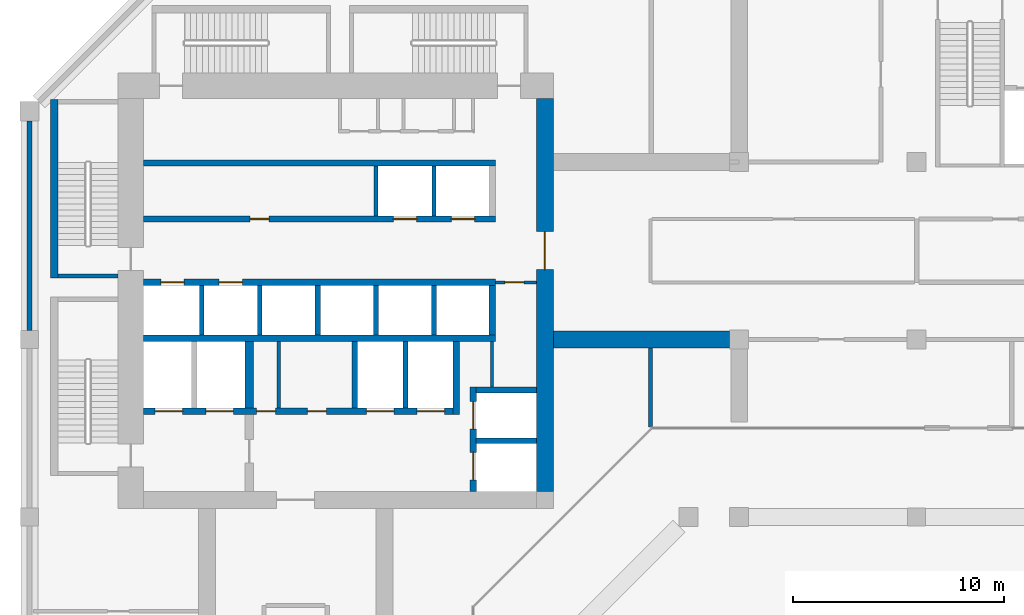
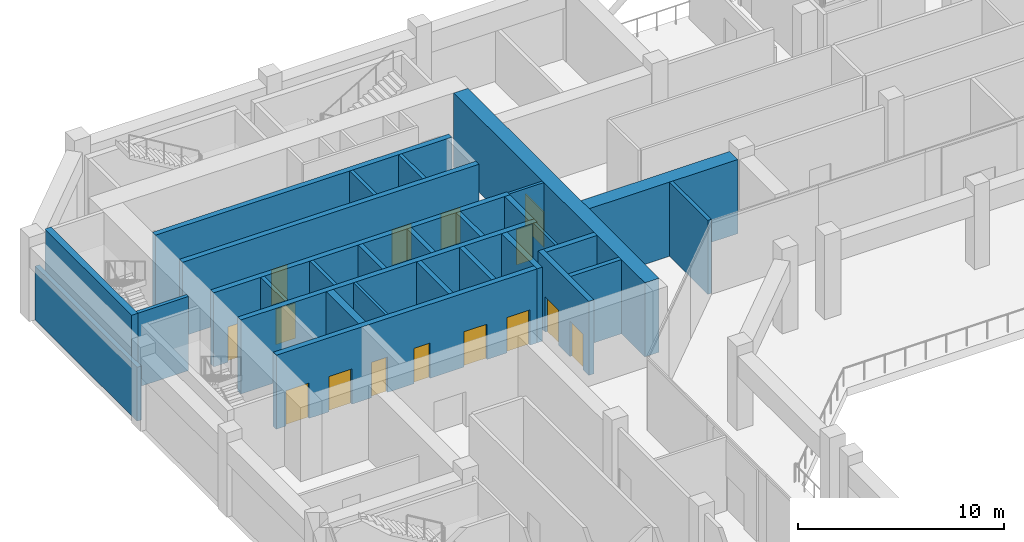
# One storey, part 6 of 14: 29 walls, 15 doors, 15 openings.
"""IFC4 building model written with IfcOpenShell, lengths in metres."""

import ifcopenshell
import ifcopenshell.guid

model = None  # the IFC model being written
_history = None  # IfcOwnerHistory: only IFC2X3 demands one
_inside = {}  # id of a spatial element -> (the spatial element, [elements in it])
_under = {}  # id of a project, library or spatial element -> (it, [spatial elements below it])
_declared = {}  # id of a project -> (the project, [libraries it declares])
_typed = {}  # id of a type object -> (the type object, [elements of that type])
_made_of = {}  # id of a material, layer set ... -> (it, [elements and type objects made of it])


def new_model(schema):
    """Start an empty IFC model of exactly this schema.

    Asked for "IFC4X3", IfcOpenShell would pick the latest addendum, in which some entities
    have other attributes; the version numbers below select the first issue.
    IFC2X3 requires an IfcOwnerHistory on every rooted entity: one is made here for all.
    """
    global model, _history
    if schema == "IFC4X3":
        model = ifcopenshell.file(schema_version=(4, 3, 0, 0))
    else:
        model = ifcopenshell.file(schema=schema)
    _inside.clear()
    _under.clear()
    _declared.clear()
    _typed.clear()
    _made_of.clear()
    _history = None
    if model.schema == "IFC2X3":
        org = make("IfcOrganization", Name="unknown")
        user = make(
            "IfcPersonAndOrganization",
            ThePerson=make("IfcPerson", FamilyName="unknown"),
            TheOrganization=org,
        )
        app = make(
            "IfcApplication",
            ApplicationDeveloper=org,
            Version="unknown",
            ApplicationFullName="unknown",
            ApplicationIdentifier="unknown",
        )
        _history = make(
            "IfcOwnerHistory",
            OwningUser=user,
            OwningApplication=app,
            ChangeAction="ADDED",
            CreationDate=0,
        )
    return model


def make(cls, **values):
    """One entity of the class cls with the attributes given. An attribute that is None is left unset."""
    return model.create_entity(
        cls, **{name: value for name, value in values.items() if value is not None}
    )


def rooted(cls, **values):
    """An entity with a GlobalId (a new one), such as an element, a storey or a relation."""
    return make(cls, GlobalId=ifcopenshell.guid.new(), OwnerHistory=_history, **values)


def si_unit(unit_type, name, prefix=None):
    """IfcSIUnit, for example si_unit("LENGTHUNIT", "METRE", prefix="MILLI")."""
    return make("IfcSIUnit", UnitType=unit_type, Prefix=prefix, Name=name)


def assignment(units):
    """IfcUnitAssignment: the units of a project."""
    return None if units is None else make("IfcUnitAssignment", Units=units)


def point(xyz):
    """IfcCartesianPoint."""
    return None if xyz is None else make("IfcCartesianPoint", Coordinates=xyz)


def direction(xyz):
    """IfcDirection."""
    return None if xyz is None else make("IfcDirection", DirectionRatios=xyz)


def frame(location, z_axis=None, x_axis=None):
    """IfcAxis2Placement3D, a coordinate frame: its origin and axes. An axis left out is left unset."""
    return make(
        "IfcAxis2Placement3D",
        Location=point(location),
        Axis=direction(z_axis),
        RefDirection=direction(x_axis),
    )


def frame_2d(location, x_axis=None):
    """IfcAxis2Placement2D, a coordinate frame in the plane: its origin and x axis."""
    return make(
        "IfcAxis2Placement2D", Location=point(location), RefDirection=direction(x_axis)
    )


def origin():
    """The frame at (0, 0, 0) with its axes left unset."""
    return frame((0.0, 0.0, 0.0))


def place(relative_to, where):
    """IfcLocalPlacement: puts the frame where relative to a parent placement (None: the world)."""
    return make(
        "IfcLocalPlacement", PlacementRelTo=relative_to, RelativePlacement=where
    )


def context(
    kind, dimensions, precision=None, world=None, true_north=None, identifier=None
):
    """IfcGeometricRepresentationContext, for example the 3D "Model" context."""
    return make(
        "IfcGeometricRepresentationContext",
        ContextIdentifier=identifier,
        ContextType=kind,
        CoordinateSpaceDimension=dimensions,
        Precision=precision,
        WorldCoordinateSystem=world,
        TrueNorth=true_north,
    )


def subcontext(parent, identifier, kind, view, scale=None):
    """IfcGeometricRepresentationSubContext, for example "Body" below "Model"."""
    return make(
        "IfcGeometricRepresentationSubContext",
        ContextIdentifier=identifier,
        ContextType=kind,
        ParentContext=parent,
        TargetScale=scale,
        TargetView=view,
    )


def project(units=None, contexts=None):
    """IfcProject with its units and contexts."""
    return rooted(
        "IfcProject",
        Name="project",
        RepresentationContexts=contexts,
        UnitsInContext=assignment(units),
    )


def spatial(cls, under=None, at=None, **own):
    """A site, building, storey or space (cls), placed at a placement, below another one or the project."""
    s = rooted(cls, ObjectPlacement=at, **own)
    if under is not None:
        _under.setdefault(under.id(), (under, []))[1].append(s)
    return s


def profile(cls, at=None, kind="AREA", **sizes):
    """A parametric profile (cls). Its sizes go by their IFC names, for example OverallWidth=200.0."""
    return make(cls, ProfileType=kind, Position=at, **sizes)


def rectangle(**sizes):
    """IfcRectangleProfileDef."""
    return profile("IfcRectangleProfileDef", **sizes)


def extrude(swept, where, along, depth):
    """IfcExtrudedAreaSolid: the profile swept, set in the frame where, extruded along a direction by depth."""
    return make(
        "IfcExtrudedAreaSolid",
        SweptArea=swept,
        Position=where,
        ExtrudedDirection=direction(along),
        Depth=depth,
    )


def shape(context_of_items, identifier, shape_type, items):
    """IfcShapeRepresentation: the items that make up one representation, for example the "Body"."""
    return make(
        "IfcShapeRepresentation",
        ContextOfItems=context_of_items,
        RepresentationIdentifier=identifier,
        RepresentationType=shape_type,
        Items=items,
    )


def material(Name=None, Category=None):
    """IfcMaterial."""
    return make("IfcMaterial", Name=Name, Category=Category)


def layer(
    of_material, thickness, ventilated=None, Name=None, Category=None, Priority=None
):
    """IfcMaterialLayer: one layer of a wall or slab, of a material (None: an air gap)."""
    return make(
        "IfcMaterialLayer",
        Material=of_material,
        LayerThickness=thickness,
        IsVentilated=ventilated,
        Name=Name,
        Category=Category,
        Priority=Priority,
    )


def layer_set(layers, Name=None):
    """IfcMaterialLayerSet."""
    return make("IfcMaterialLayerSet", MaterialLayers=layers, LayerSetName=Name)


def made_of(thing, what):
    """Note that an element or type object is made of a material, layer set ...; save() writes the relation."""
    if what is not None:
        _made_of.setdefault(what.id(), (what, []))[1].append(thing)
    return thing


def type_object(cls, material=None, **own):
    """A type object (cls), such as IfcWallType, which elements share."""
    return made_of(rooted(cls, **own), material)


def element(
    cls,
    number,
    at=None,
    inside=None,
    cuts=None,
    type_object=None,
    material=None,
    context=None,
    identifier="Body",
    shape_type=None,
    held_by="IfcProductDefinitionShape",
    body=None,
    shapes=None,
    **own,
):
    """One element of the class cls, such as IfcWall. Its Tag is "e" and its number.

    at: its placement. inside: the storey or other place that contains it. cuts: it is an
    opening in that element (IfcRelVoidsElement). A single representation is given by context,
    identifier, shape_type and body (its items); several are given by shapes. held_by: the class
    of the entity that holds the representations. save() writes the other relations.
    """
    e = rooted(cls, Tag="e%d" % number, ObjectPlacement=at, **own)
    if body is not None:
        shapes = [shape(context, identifier, shape_type, body)]
    if shapes is not None:
        e.Representation = make(held_by, Representations=shapes)
    if inside is not None:
        _inside.setdefault(inside.id(), (inside, []))[1].append(e)
    if cuts is not None:
        rooted(
            "IfcRelVoidsElement", RelatingBuildingElement=cuts, RelatedOpeningElement=e
        )
    if type_object is not None:
        _typed.setdefault(type_object.id(), (type_object, []))[1].append(e)
    return made_of(e, material)


def fill(opening, filler):
    """IfcRelFillsElement: the door or window that sits in an opening."""
    return rooted(
        "IfcRelFillsElement",
        RelatingOpeningElement=opening,
        RelatedBuildingElement=filler,
    )


def aggregate(whole, parts):
    """IfcRelAggregates: a whole, such as a stair, and the parts it consists of."""
    return rooted("IfcRelAggregates", RelatingObject=whole, RelatedObjects=parts)


def save(model, path):
    """Write the relations noted so far, then the file.

    IfcRelAggregates (storeys below a building ...), IfcRelContainedInSpatialStructure (elements
    in a storey), IfcRelDefinesByType, IfcRelAssociatesMaterial and IfcRelDeclares: one each for
    every whole, place, type object, material and project.
    """
    for whole, parts in _under.values():
        aggregate(whole, parts)
    for where, things in _inside.values():
        rooted(
            "IfcRelContainedInSpatialStructure",
            RelatedElements=things,
            RelatingStructure=where,
        )
    for kind, things in _typed.values():
        rooted("IfcRelDefinesByType", RelatedObjects=things, RelatingType=kind)
    for what, things in _made_of.values():
        rooted("IfcRelAssociatesMaterial", RelatedObjects=things, RelatingMaterial=what)
    for by, libraries in _declared.values():
        rooted("IfcRelDeclares", RelatingContext=by, RelatedDefinitions=libraries)
    model.write(path)


model = new_model("IFC4")

# Units and contexts
model_context = context("Model", 3, precision=1e-05, world=origin(), true_north=direction((0.0, 1.0)))
body_context = subcontext(model_context, "Body", "Model", "MODEL_VIEW")
ifc_project = project(units=[si_unit("LENGTHUNIT", "METRE"), si_unit("AREAUNIT", "SQUARE_METRE"), si_unit("VOLUMEUNIT", "CUBIC_METRE"), si_unit("PLANEANGLEUNIT", "RADIAN"), si_unit("MASSUNIT", "GRAM", prefix="KILO")], contexts=[model_context])

# Site, building, storey
site_placement = place(None, origin())
site = spatial("IfcSite", under=ifc_project, at=site_placement, CompositionType="ELEMENT")
building_placement = place(site_placement, origin())
building = spatial("IfcBuilding", under=site, at=building_placement, Name="Kawkab Arch Medical Tower", CompositionType="ELEMENT")
storey_placement = place(building_placement, frame((0.0, 0.0, 213.0)))
storey = spatial("IfcBuildingStorey", under=building, at=storey_placement, Name="L49", CompositionType="ELEMENT", Elevation=213.0)

# Wall
ifc_material_1 = material(Name="Concrete C45/55", Category="concrete")
ifc_layer_1 = layer(ifc_material_1, 0.800048828125)
ifc_layer_set_1 = layer_set([ifc_layer_1], Name="Concrete C45/55")
wall_type_1 = type_object("IfcWallType", Name="Belt wall 800 C45/55", PredefinedType="SHEAR", material=ifc_layer_set_1)
wall_1_placement = place(storey_placement, frame((24.800048828125, -16.800048828125, 0.0), z_axis=(0.0, 0.0, 1.0), x_axis=(1.0, 0.0, 0.0)))
element("IfcWall", 1, at=wall_1_placement, inside=storey, type_object=wall_type_1, Name="Belt wall BW-L49-2", PredefinedType="SHEAR", context=body_context, shape_type="SweptSolid", body=[
    extrude(rectangle(XDim=8.349853515625, YDim=0.800048828125, at=frame_2d((4.1748046875, 0.0))), origin(), (0.0, 0.0, 1.0), 4.39990234375),
])

# Wall, opening, door
ifc_material_2 = material(Name="Concrete C50/60", Category="concrete")
ifc_layer_2 = layer(ifc_material_2, 0.800048828125)
ifc_layer_set_2 = layer_set([ifc_layer_2], Name="Concrete C50/60")
wall_type_2 = type_object("IfcWallType", Name="Core ring wall 800 C50/60", PredefinedType="SHEAR", material=ifc_layer_set_2)
wall_2_placement = place(storey_placement, frame((24.39990234375, -24.0, 0.0), z_axis=(0.0, 0.0, 1.0), x_axis=(0.0, 1.0, 0.0)))
wall_2 = element("IfcWall", 2, at=wall_2_placement, inside=storey, type_object=wall_type_2, Name="L49 core wall", PredefinedType="SHEAR", context=body_context, shape_type="SweptSolid", body=[
    extrude(rectangle(XDim=18.60009765625, YDim=0.800048828125, at=frame_2d((9.300048828125, 0.0))), origin(), (0.0, 0.0, 1.0), 4.39990234375),
])
opening_1_placement = place(wall_2_placement, frame((10.5, 0.0, 0.0)))
opening_1 = element("IfcOpeningElement", 3, at=opening_1_placement, cuts=wall_2, Name="Opening PD", PredefinedType="OPENING", context=body_context, shape_type="SweptSolid", body=[
    extrude(rectangle(XDim=1.800048828125, YDim=2.10009765625, at=frame_2d((0.89990234375, 1.050048828125))), frame((0.0, 0.409912109375, 0.0), z_axis=(0.0, -1.0, 0.0), x_axis=(1.0, 0.0, 0.0)), (0.0, 0.0, 1.0), 0.820068359375),
])
ifc_material_3 = material(Name="Hollow metal fire door leaf")
door_type_1 = type_object("IfcDoorType", Name="Core entrance doors 1800", OperationType="DOUBLE_DOOR_SINGLE_SWING", PredefinedType="DOOR", material=ifc_material_3)
door_1_placement = place(opening_1_placement, origin())
door_1 = element("IfcDoor", 4, at=door_1_placement, inside=storey, type_object=door_type_1, Name="L49 East entrance doors", OperationType="DOUBLE_DOOR_SINGLE_SWING", OverallHeight=2.10009765625, OverallWidth=1.800048828125, PredefinedType="DOOR", context=body_context, shape_type="SweptSolid", body=[
    extrude(rectangle(XDim=1.800048828125, YDim=2.10009765625, at=frame_2d((0.89990234375, 1.050048828125))), frame((0.0, 0.02490234375, 0.0), z_axis=(0.0, -1.0, 0.0), x_axis=(1.0, 0.0, 0.0)), (0.0, 0.0, 1.0), 0.050048828125),
])
fill(opening_1, door_1)

# Wall
ifc_material_4 = material(Name="Gypsum board on steel studs", Category="steel")
ifc_layer_3 = layer(ifc_material_4, 0.14990234375)
ifc_layer_set_3 = layer_set([ifc_layer_3], Name="Gypsum board on steel studs")
wall_type_3 = type_object("IfcWallType", Name="Core room partition 150", PredefinedType="PARTITIONING", material=ifc_layer_set_3)
wall_3_placement = place(storey_placement, frame((21.89990234375, -19.050048828125, 0.0), z_axis=(0.0, 0.0, 1.0), x_axis=(0.0, 1.0, 0.0)))
element("IfcWall", 5, at=wall_3_placement, inside=storey, type_object=wall_type_3, Name="L49 core room partition", PredefinedType="PARTITIONING", context=body_context, shape_type="SweptSolid", body=[
    extrude(rectangle(XDim=2.150146484375, YDim=0.14990234375, at=frame_2d((1.0751953125, 0.0))), origin(), (0.0, 0.0, 1.0), 4.39990234375),
])

# Wall, opening, door
wall_4_placement = place(storey_placement, frame((22.050048828125, -14.10009765625, 0.0), z_axis=(0.0, 0.0, 1.0), x_axis=(1.0, 0.0, 0.0)))
wall_4 = element("IfcWall", 6, at=wall_4_placement, inside=storey, type_object=wall_type_3, Name="L49 core room partition", PredefinedType="PARTITIONING", context=body_context, shape_type="SweptSolid", body=[
    extrude(rectangle(XDim=1.949951171875, YDim=0.14990234375, at=frame_2d((0.97509765625, 0.0))), origin(), (0.0, 0.0, 1.0), 4.39990234375),
])
opening_2_placement = place(wall_4_placement, frame((0.449951171875, 0.0, 0.0)))
opening_2 = element("IfcOpeningElement", 7, at=opening_2_placement, cuts=wall_4, Name="Opening RD", PredefinedType="OPENING", context=body_context, shape_type="SweptSolid", body=[
    extrude(rectangle(XDim=0.89990234375, YDim=2.10009765625, at=frame_2d((0.449951171875, 1.050048828125))), frame((0.0, 0.0849609375, 0.0), z_axis=(0.0, -1.0, 0.0), x_axis=(1.0, 0.0, 0.0)), (0.0, 0.0, 1.0), 0.169921875),
])
ifc_material_5 = material(Name="Hollow metal fire door leaf")
door_type_2 = type_object("IfcDoorType", Name="Core room door 900", OperationType="SINGLE_SWING_LEFT", PredefinedType="DOOR", material=ifc_material_5)
door_2_placement = place(opening_2_placement, origin())
door_2 = element("IfcDoor", 8, at=door_2_placement, inside=storey, type_object=door_type_2, Name="L49 Ward pantry door", OperationType="SINGLE_SWING_LEFT", OverallHeight=2.10009765625, OverallWidth=0.89990234375, PredefinedType="DOOR", context=body_context, shape_type="SweptSolid", body=[
    extrude(rectangle(XDim=0.89990234375, YDim=2.10009765625, at=frame_2d((0.449951171875, 1.050048828125))), frame((0.0, 0.02490234375, 0.0), z_axis=(0.0, -1.0, 0.0), x_axis=(1.0, 0.0, 0.0)), (0.0, 0.0, 1.0), 0.050048828125),
])
fill(opening_2, door_2)

# Walls
wall_5_placement = place(storey_placement, frame((11.800048828125, -20.050048828125, 0.0), z_axis=(0.0, 0.0, 1.0), x_axis=(0.0, 1.0, 0.0)))
element("IfcWall", 9, at=wall_5_placement, inside=storey, type_object=wall_type_3, Name="L49 core room partition", PredefinedType="PARTITIONING", context=body_context, shape_type="SweptSolid", body=[
    extrude(rectangle(XDim=3.150146484375, YDim=0.14990234375, at=frame_2d((1.5751953125, 0.0))), origin(), (0.0, 0.0, 1.0), 4.39990234375),
])
ifc_material_6 = material(Name="Concrete C60/75", Category="concrete")
ifc_layer_4 = layer(ifc_material_6, 0.25)
ifc_layer_set_4 = layer_set([ifc_layer_4], Name="Concrete C60/75")
wall_type_4 = type_object("IfcWallType", Name="Core shear wall 250 C60/75", PredefinedType="SHEAR", material=ifc_layer_set_4)
wall_6_placement = place(storey_placement, frame((21.14990234375, -21.60009765625, 0.0), z_axis=(0.0, 0.0, 1.0), x_axis=(1.0, 0.0, 0.0)))
element("IfcWall", 10, at=wall_6_placement, inside=storey, type_object=wall_type_4, Name="L49 core shear wall", PredefinedType="SHEAR", context=body_context, shape_type="SweptSolid", body=[
    extrude(rectangle(XDim=2.85009765625, YDim=0.25, at=frame_2d((1.425048828125, 0.0))), origin(), (0.0, 0.0, 1.0), 4.39990234375),
])
for number, where, z_axis, x_axis, name in (
    (11, (15.39990234375, -20.050048828125, 0.0), (0.0, 0.0, 1.0), (0.0, 1.0, 0.0), "L49 core shear wall"),
    (12, (17.800048828125, -20.050048828125, 0.0), (0.0, 0.0, 1.0), (0.0, 1.0, 0.0), "L49 core shear wall"),
):
    element("IfcWall", number, at=place(storey_placement, frame(where, z_axis=z_axis, x_axis=x_axis)), inside=storey, type_object=wall_type_4, Name=name, PredefinedType="SHEAR", context=body_context, shape_type="SweptSolid", body=[
        extrude(rectangle(XDim=3.150146484375, YDim=0.25, at=frame_2d((1.5751953125, 0.0))), origin(), (0.0, 0.0, 1.0), 4.39990234375),
    ])
for number, where, z_axis, x_axis, name in (
    (13, (13.64990234375, -16.60009765625, 0.0), (0.0, 0.0, 1.0), (0.0, 1.0, 0.0), "L49 core shear wall"),
    (14, (16.39990234375, -16.60009765625, 0.0), (0.0, 0.0, 1.0), (0.0, 1.0, 0.0), "L49 core shear wall"),
    (15, (19.14990234375, -16.60009765625, 0.0), (0.0, 0.0, 1.0), (0.0, 1.0, 0.0), "L49 core shear wall"),
):
    element("IfcWall", number, at=place(storey_placement, frame(where, z_axis=z_axis, x_axis=x_axis)), inside=storey, type_object=wall_type_4, Name=name, PredefinedType="SHEAR", context=body_context, shape_type="SweptSolid", body=[
        extrude(rectangle(XDim=2.35009765625, YDim=0.25, at=frame_2d((1.175048828125, 0.0))), origin(), (0.0, 0.0, 1.0), 4.39990234375),
    ])
ifc_material_7 = material(Name="Concrete C60/75", Category="concrete")
ifc_layer_5 = layer(ifc_material_7, 0.300048828125)
ifc_layer_set_5 = layer_set([ifc_layer_5], Name="Concrete C60/75")
wall_type_5 = type_object("IfcWallType", Name="Core shear wall 300 C60/75", PredefinedType="SHEAR", material=ifc_layer_set_5)
wall_7_placement = place(storey_placement, frame((5.39990234375, -8.449951171875, 0.0), z_axis=(0.0, 0.0, 1.0), x_axis=(1.0, 0.0, 0.0)))
element("IfcWall", 16, at=wall_7_placement, inside=storey, type_object=wall_type_5, Name="L49 core shear wall", PredefinedType="SHEAR", context=body_context, shape_type="SweptSolid", body=[
    extrude(rectangle(XDim=16.650146484375, YDim=0.300048828125, at=frame_2d((8.3251953125, 0.0))), origin(), (0.0, 0.0, 1.0), 4.39990234375),
])

# Wall, openings, doors
wall_8_placement = place(storey_placement, frame((5.39990234375, -11.10009765625, 0.0), z_axis=(0.0, 0.0, 1.0), x_axis=(1.0, 0.0, 0.0)))
wall_8 = element("IfcWall", 17, at=wall_8_placement, inside=storey, type_object=wall_type_5, Name="L49 core shear wall", PredefinedType="SHEAR", context=body_context, shape_type="SweptSolid", body=[
    extrude(rectangle(XDim=16.650146484375, YDim=0.300048828125, at=frame_2d((8.3251953125, 0.0))), origin(), (0.0, 0.0, 1.0), 4.39990234375),
])
opening_3_placement = place(wall_8_placement, frame((11.824951171875, 0.0, 0.0)))
opening_3 = element("IfcOpeningElement", 18, at=opening_3_placement, cuts=wall_8, Name="Opening LD1", PredefinedType="OPENING", context=body_context, shape_type="SweptSolid", body=[
    extrude(rectangle(XDim=1.10009765625, YDim=2.10009765625, at=frame_2d((0.550048828125, 1.050048828125))), frame((0.0, 0.159912109375, 0.0), z_axis=(0.0, -1.0, 0.0), x_axis=(1.0, 0.0, 0.0)), (0.0, 0.0, 1.0), 0.320068359375),
])
opening_4_placement = place(wall_8_placement, frame((14.574951171875, 0.0, 0.0)))
opening_4 = element("IfcOpeningElement", 19, at=opening_4_placement, cuts=wall_8, Name="Opening LD1", PredefinedType="OPENING", context=body_context, shape_type="SweptSolid", body=[
    extrude(rectangle(XDim=1.10009765625, YDim=2.10009765625, at=frame_2d((0.550048828125, 1.050048828125))), frame((0.0, 0.159912109375, 0.0), z_axis=(0.0, -1.0, 0.0), x_axis=(1.0, 0.0, 0.0)), (0.0, 0.0, 1.0), 0.320068359375),
])
opening_5_placement = place(wall_8_placement, frame((5.050048828125, 0.0, 0.0)))
opening_5 = element("IfcOpeningElement", 20, at=opening_5_placement, cuts=wall_8, Name="Opening RD", PredefinedType="OPENING", context=body_context, shape_type="SweptSolid", body=[
    extrude(rectangle(XDim=0.89990234375, YDim=2.10009765625, at=frame_2d((0.449951171875, 1.050048828125))), frame((0.0, 0.159912109375, 0.0), z_axis=(0.0, -1.0, 0.0), x_axis=(1.0, 0.0, 0.0)), (0.0, 0.0, 1.0), 0.320068359375),
])
door_3_placement = place(opening_5_placement, origin())
door_3 = element("IfcDoor", 21, at=door_3_placement, inside=storey, type_object=door_type_2, Name="L49 Data room door", OperationType="SINGLE_SWING_LEFT", OverallHeight=2.10009765625, OverallWidth=0.89990234375, PredefinedType="DOOR", context=body_context, shape_type="SweptSolid", body=[
    extrude(rectangle(XDim=0.89990234375, YDim=2.10009765625, at=frame_2d((0.449951171875, 1.050048828125))), frame((0.0, 0.02490234375, 0.0), z_axis=(0.0, -1.0, 0.0), x_axis=(1.0, 0.0, 0.0)), (0.0, 0.0, 1.0), 0.050048828125),
])
fill(opening_5, door_3)
ifc_material_8 = material(Name="Stainless steel lift door leaf", Category="steel")
door_type_3 = type_object("IfcDoorType", Name="Lift landing door 1100", OperationType="DOUBLE_DOOR_SLIDING", PredefinedType="DOOR", material=ifc_material_8)
door_4_placement = place(opening_3_placement, origin())
door_4 = element("IfcDoor", 22, at=door_4_placement, inside=storey, type_object=door_type_3, Name="L49 Lift landing door MP1", OperationType="DOUBLE_DOOR_SLIDING", OverallHeight=2.10009765625, OverallWidth=1.10009765625, PredefinedType="DOOR", context=body_context, shape_type="SweptSolid", body=[
    extrude(rectangle(XDim=1.10009765625, YDim=2.10009765625, at=frame_2d((0.550048828125, 1.050048828125))), frame((0.0, 0.02490234375, 0.0), z_axis=(0.0, -1.0, 0.0), x_axis=(1.0, 0.0, 0.0)), (0.0, 0.0, 1.0), 0.050048828125),
])
fill(opening_3, door_4)
door_5_placement = place(opening_4_placement, origin())
door_5 = element("IfcDoor", 23, at=door_5_placement, inside=storey, type_object=door_type_3, Name="L49 Lift landing door MP2", OperationType="DOUBLE_DOOR_SLIDING", OverallHeight=2.10009765625, OverallWidth=1.10009765625, PredefinedType="DOOR", context=body_context, shape_type="SweptSolid", body=[
    extrude(rectangle(XDim=1.10009765625, YDim=2.10009765625, at=frame_2d((0.550048828125, 1.050048828125))), frame((0.0, 0.02490234375, 0.0), z_axis=(0.0, -1.0, 0.0), x_axis=(1.0, 0.0, 0.0)), (0.0, 0.0, 1.0), 0.050048828125),
])
fill(opening_4, door_5)

wall_9_placement = place(storey_placement, frame((5.39990234375, -14.10009765625, 0.0), z_axis=(0.0, 0.0, 1.0), x_axis=(1.0, 0.0, 0.0)))
wall_9 = element("IfcWall", 24, at=wall_9_placement, inside=storey, type_object=wall_type_5, Name="L49 core shear wall", PredefinedType="SHEAR", context=body_context, shape_type="SweptSolid", body=[
    extrude(rectangle(XDim=16.650146484375, YDim=0.300048828125, at=frame_2d((8.3251953125, 0.0))), origin(), (0.0, 0.0, 1.0), 4.39990234375),
])
opening_6_placement = place(wall_9_placement, frame((0.824951171875, 0.0, 0.0)))
opening_6 = element("IfcOpeningElement", 25, at=opening_6_placement, cuts=wall_9, Name="Opening LD1", PredefinedType="OPENING", context=body_context, shape_type="SweptSolid", body=[
    extrude(rectangle(XDim=1.10009765625, YDim=2.10009765625, at=frame_2d((0.550048828125, 1.050048828125))), frame((0.0, 0.159912109375, 0.0), z_axis=(0.0, -1.0, 0.0), x_axis=(1.0, 0.0, 0.0)), (0.0, 0.0, 1.0), 0.320068359375),
])
opening_7_placement = place(wall_9_placement, frame((3.574951171875, 0.0, 0.0)))
opening_7 = element("IfcOpeningElement", 26, at=opening_7_placement, cuts=wall_9, Name="Opening LD1", PredefinedType="OPENING", context=body_context, shape_type="SweptSolid", body=[
    extrude(rectangle(XDim=1.10009765625, YDim=2.10009765625, at=frame_2d((0.550048828125, 1.050048828125))), frame((0.0, 0.159912109375, 0.0), z_axis=(0.0, -1.0, 0.0), x_axis=(1.0, 0.0, 0.0)), (0.0, 0.0, 1.0), 0.320068359375),
])
door_6_placement = place(opening_6_placement, origin())
door_6 = element("IfcDoor", 27, at=door_6_placement, inside=storey, type_object=door_type_3, Name="L49 Lift landing door MP3", OperationType="DOUBLE_DOOR_SLIDING", OverallHeight=2.10009765625, OverallWidth=1.10009765625, PredefinedType="DOOR", context=body_context, shape_type="SweptSolid", body=[
    extrude(rectangle(XDim=1.10009765625, YDim=2.10009765625, at=frame_2d((0.550048828125, 1.050048828125))), frame((0.0, 0.02490234375, 0.0), z_axis=(0.0, -1.0, 0.0), x_axis=(1.0, 0.0, 0.0)), (0.0, 0.0, 1.0), 0.050048828125),
])
fill(opening_6, door_6)
door_7_placement = place(opening_7_placement, origin())
door_7 = element("IfcDoor", 28, at=door_7_placement, inside=storey, type_object=door_type_3, Name="L49 Lift landing door MP4", OperationType="DOUBLE_DOOR_SLIDING", OverallHeight=2.10009765625, OverallWidth=1.10009765625, PredefinedType="DOOR", context=body_context, shape_type="SweptSolid", body=[
    extrude(rectangle(XDim=1.10009765625, YDim=2.10009765625, at=frame_2d((0.550048828125, 1.050048828125))), frame((0.0, 0.02490234375, 0.0), z_axis=(0.0, -1.0, 0.0), x_axis=(1.0, 0.0, 0.0)), (0.0, 0.0, 1.0), 0.050048828125),
])
fill(opening_7, door_7)

# Wall
wall_10_placement = place(storey_placement, frame((5.39990234375, -16.75, 0.0), z_axis=(0.0, 0.0, 1.0), x_axis=(1.0, 0.0, 0.0)))
element("IfcWall", 29, at=wall_10_placement, inside=storey, type_object=wall_type_5, Name="L49 core shear wall", PredefinedType="SHEAR", context=body_context, shape_type="SweptSolid", body=[
    extrude(rectangle(XDim=16.650146484375, YDim=0.300048828125, at=frame_2d((8.3251953125, 0.0))), origin(), (0.0, 0.0, 1.0), 4.39990234375),
])

# Wall, openings, doors
wall_11_placement = place(storey_placement, frame((5.39990234375, -20.199951171875, 0.0), z_axis=(0.0, 0.0, 1.0), x_axis=(1.0, 0.0, 0.0)))
wall_11 = element("IfcWall", 30, at=wall_11_placement, inside=storey, type_object=wall_type_5, Name="L49 core shear wall", PredefinedType="SHEAR", context=body_context, shape_type="SweptSolid", body=[
    extrude(rectangle(XDim=14.650146484375, YDim=0.300048828125, at=frame_2d((7.3251953125, 0.0))), origin(), (0.0, 0.0, 1.0), 4.39990234375),
])
opening_8_placement = place(wall_11_placement, frame((10.550048828125, 0.0, 0.0)))
opening_8 = element("IfcOpeningElement", 31, at=opening_8_placement, cuts=wall_11, Name="Opening LD2", PredefinedType="OPENING", context=body_context, shape_type="SweptSolid", body=[
    extrude(rectangle(XDim=1.300048828125, YDim=2.10009765625, at=frame_2d((0.64990234375, 1.050048828125))), frame((0.0, 0.159912109375, 0.0), z_axis=(0.0, -1.0, 0.0), x_axis=(1.0, 0.0, 0.0)), (0.0, 0.0, 1.0), 0.320068359375),
])
opening_9_placement = place(wall_11_placement, frame((12.949951171875, 0.0, 0.0)))
opening_9 = element("IfcOpeningElement", 32, at=opening_9_placement, cuts=wall_11, Name="Opening LD2", PredefinedType="OPENING", context=body_context, shape_type="SweptSolid", body=[
    extrude(rectangle(XDim=1.300048828125, YDim=2.10009765625, at=frame_2d((0.64990234375, 1.050048828125))), frame((0.0, 0.159912109375, 0.0), z_axis=(0.0, -1.0, 0.0), x_axis=(1.0, 0.0, 0.0)), (0.0, 0.0, 1.0), 0.320068359375),
])
opening_10_placement = place(wall_11_placement, frame((0.550048828125, 0.0, 0.0)))
opening_10 = element("IfcOpeningElement", 33, at=opening_10_placement, cuts=wall_11, Name="Opening LD2", PredefinedType="OPENING", context=body_context, shape_type="SweptSolid", body=[
    extrude(rectangle(XDim=1.300048828125, YDim=2.10009765625, at=frame_2d((0.64990234375, 1.050048828125))), frame((0.0, 0.159912109375, 0.0), z_axis=(0.0, -1.0, 0.0), x_axis=(1.0, 0.0, 0.0)), (0.0, 0.0, 1.0), 0.320068359375),
])
opening_11_placement = place(wall_11_placement, frame((2.949951171875, 0.0, 0.0)))
opening_11 = element("IfcOpeningElement", 34, at=opening_11_placement, cuts=wall_11, Name="Opening LD2", PredefinedType="OPENING", context=body_context, shape_type="SweptSolid", body=[
    extrude(rectangle(XDim=1.300048828125, YDim=2.10009765625, at=frame_2d((0.64990234375, 1.050048828125))), frame((0.0, 0.159912109375, 0.0), z_axis=(0.0, -1.0, 0.0), x_axis=(1.0, 0.0, 0.0)), (0.0, 0.0, 1.0), 0.320068359375),
])
opening_12_placement = place(wall_11_placement, frame((5.35009765625, 0.0, 0.0)))
opening_12 = element("IfcOpeningElement", 35, at=opening_12_placement, cuts=wall_11, Name="Opening RD", PredefinedType="OPENING", context=body_context, shape_type="SweptSolid", body=[
    extrude(rectangle(XDim=0.89990234375, YDim=2.10009765625, at=frame_2d((0.449951171875, 1.050048828125))), frame((0.0, 0.159912109375, 0.0), z_axis=(0.0, -1.0, 0.0), x_axis=(1.0, 0.0, 0.0)), (0.0, 0.0, 1.0), 0.320068359375),
])
opening_13_placement = place(wall_11_placement, frame((7.75, 0.0, 0.0)))
opening_13 = element("IfcOpeningElement", 36, at=opening_13_placement, cuts=wall_11, Name="Opening RD", PredefinedType="OPENING", context=body_context, shape_type="SweptSolid", body=[
    extrude(rectangle(XDim=0.89990234375, YDim=2.10009765625, at=frame_2d((0.449951171875, 1.050048828125))), frame((0.0, 0.159912109375, 0.0), z_axis=(0.0, -1.0, 0.0), x_axis=(1.0, 0.0, 0.0)), (0.0, 0.0, 1.0), 0.320068359375),
])
door_8_placement = place(opening_12_placement, origin())
door_8 = element("IfcDoor", 37, at=door_8_placement, inside=storey, type_object=door_type_2, Name="L49 Linen store door", OperationType="SINGLE_SWING_LEFT", OverallHeight=2.10009765625, OverallWidth=0.89990234375, PredefinedType="DOOR", context=body_context, shape_type="SweptSolid", body=[
    extrude(rectangle(XDim=0.89990234375, YDim=2.10009765625, at=frame_2d((0.449951171875, 1.050048828125))), frame((0.0, 0.02490234375, 0.0), z_axis=(0.0, -1.0, 0.0), x_axis=(1.0, 0.0, 0.0)), (0.0, 0.0, 1.0), 0.050048828125),
])
fill(opening_12, door_8)
door_9_placement = place(opening_13_placement, origin())
door_9 = element("IfcDoor", 38, at=door_9_placement, inside=storey, type_object=door_type_2, Name="L49 Dirty utility room door", OperationType="SINGLE_SWING_LEFT", OverallHeight=2.10009765625, OverallWidth=0.89990234375, PredefinedType="DOOR", context=body_context, shape_type="SweptSolid", body=[
    extrude(rectangle(XDim=0.89990234375, YDim=2.10009765625, at=frame_2d((0.449951171875, 1.050048828125))), frame((0.0, 0.02490234375, 0.0), z_axis=(0.0, -1.0, 0.0), x_axis=(1.0, 0.0, 0.0)), (0.0, 0.0, 1.0), 0.050048828125),
])
fill(opening_13, door_9)
ifc_material_9 = material(Name="Stainless steel lift door leaf", Category="steel")
door_type_4 = type_object("IfcDoorType", Name="Lift landing door 1300", OperationType="DOUBLE_DOOR_SLIDING", PredefinedType="DOOR", material=ifc_material_9)
door_10_placement = place(opening_8_placement, origin())
door_10 = element("IfcDoor", 39, at=door_10_placement, inside=storey, type_object=door_type_4, Name="L49 Lift landing door BD3", OperationType="DOUBLE_DOOR_SLIDING", OverallHeight=2.10009765625, OverallWidth=1.300048828125, PredefinedType="DOOR", context=body_context, shape_type="SweptSolid", body=[
    extrude(rectangle(XDim=1.300048828125, YDim=2.10009765625, at=frame_2d((0.64990234375, 1.050048828125))), frame((0.0, 0.02490234375, 0.0), z_axis=(0.0, -1.0, 0.0), x_axis=(1.0, 0.0, 0.0)), (0.0, 0.0, 1.0), 0.050048828125),
])
fill(opening_8, door_10)
door_11_placement = place(opening_9_placement, origin())
door_11 = element("IfcDoor", 40, at=door_11_placement, inside=storey, type_object=door_type_4, Name="L49 Lift landing door BD4", OperationType="DOUBLE_DOOR_SLIDING", OverallHeight=2.10009765625, OverallWidth=1.300048828125, PredefinedType="DOOR", context=body_context, shape_type="SweptSolid", body=[
    extrude(rectangle(XDim=1.300048828125, YDim=2.10009765625, at=frame_2d((0.64990234375, 1.050048828125))), frame((0.0, 0.02490234375, 0.0), z_axis=(0.0, -1.0, 0.0), x_axis=(1.0, 0.0, 0.0)), (0.0, 0.0, 1.0), 0.050048828125),
])
fill(opening_9, door_11)
door_12_placement = place(opening_10_placement, origin())
door_12 = element("IfcDoor", 41, at=door_12_placement, inside=storey, type_object=door_type_4, Name="L49 Lift landing door FL1", OperationType="DOUBLE_DOOR_SLIDING", OverallHeight=2.10009765625, OverallWidth=1.300048828125, PredefinedType="DOOR", context=body_context, shape_type="SweptSolid", body=[
    extrude(rectangle(XDim=1.300048828125, YDim=2.10009765625, at=frame_2d((0.64990234375, 1.050048828125))), frame((0.0, 0.02490234375, 0.0), z_axis=(0.0, -1.0, 0.0), x_axis=(1.0, 0.0, 0.0)), (0.0, 0.0, 1.0), 0.050048828125),
])
fill(opening_10, door_12)
door_13_placement = place(opening_11_placement, origin())
door_13 = element("IfcDoor", 42, at=door_13_placement, inside=storey, type_object=door_type_4, Name="L49 Lift landing door FL2", OperationType="DOUBLE_DOOR_SLIDING", OverallHeight=2.10009765625, OverallWidth=1.300048828125, PredefinedType="DOOR", context=body_context, shape_type="SweptSolid", body=[
    extrude(rectangle(XDim=1.300048828125, YDim=2.10009765625, at=frame_2d((0.64990234375, 1.050048828125))), frame((0.0, 0.02490234375, 0.0), z_axis=(0.0, -1.0, 0.0), x_axis=(1.0, 0.0, 0.0)), (0.0, 0.0, 1.0), 0.050048828125),
])
fill(opening_11, door_13)

# Walls
wall_12_placement = place(storey_placement, frame((20.199951171875, -20.35009765625, 0.0), z_axis=(0.0, 0.0, 1.0), x_axis=(0.0, 1.0, 0.0)))
element("IfcWall", 43, at=wall_12_placement, inside=storey, type_object=wall_type_5, Name="L49 core shear wall", PredefinedType="SHEAR", context=body_context, shape_type="SweptSolid", body=[
    extrude(rectangle(XDim=3.4501953125, YDim=0.300048828125, at=frame_2d((1.72509765625, 0.0))), origin(), (0.0, 0.0, 1.0), 4.39990234375),
])
wall_13_placement = place(storey_placement, frame((21.89990234375, -16.60009765625, 0.0), z_axis=(0.0, 0.0, 1.0), x_axis=(0.0, 1.0, 0.0)))
element("IfcWall", 44, at=wall_13_placement, inside=storey, type_object=wall_type_5, Name="L49 core shear wall", PredefinedType="SHEAR", context=body_context, shape_type="SweptSolid", body=[
    extrude(rectangle(XDim=2.35009765625, YDim=0.300048828125, at=frame_2d((1.175048828125, 0.0))), origin(), (0.0, 0.0, 1.0), 4.39990234375),
])
wall_14_placement = place(storey_placement, frame((21.14990234375, -19.199951171875, 0.0), z_axis=(0.0, 0.0, 1.0), x_axis=(1.0, 0.0, 0.0)))
element("IfcWall", 45, at=wall_14_placement, inside=storey, type_object=wall_type_5, Name="L49 core shear wall", PredefinedType="SHEAR", context=body_context, shape_type="SweptSolid", body=[
    extrude(rectangle(XDim=2.85009765625, YDim=0.300048828125, at=frame_2d((1.425048828125, 0.0))), origin(), (0.0, 0.0, 1.0), 4.39990234375),
])

# Wall, openings, doors
wall_15_placement = place(storey_placement, frame((21.0, -24.0, 0.0), z_axis=(0.0, 0.0, 1.0), x_axis=(0.0, 1.0, 0.0)))
wall_15 = element("IfcWall", 46, at=wall_15_placement, inside=storey, type_object=wall_type_5, Name="L49 core shear wall", PredefinedType="SHEAR", context=body_context, shape_type="SweptSolid", body=[
    extrude(rectangle(XDim=4.949951171875, YDim=0.300048828125, at=frame_2d((2.47509765625, 0.0))), origin(), (0.0, 0.0, 1.0), 4.39990234375),
])
opening_14_placement = place(wall_15_placement, frame((2.949951171875, 0.0, 0.0)))
opening_14 = element("IfcOpeningElement", 47, at=opening_14_placement, cuts=wall_15, Name="Opening LD2", PredefinedType="OPENING", context=body_context, shape_type="SweptSolid", body=[
    extrude(rectangle(XDim=1.300048828125, YDim=2.10009765625, at=frame_2d((0.64990234375, 1.050048828125))), frame((0.0, 0.159912109375, 0.0), z_axis=(0.0, -1.0, 0.0), x_axis=(1.0, 0.0, 0.0)), (0.0, 0.0, 1.0), 0.320068359375),
])
opening_15_placement = place(wall_15_placement, frame((0.550048828125, 0.0, 0.0)))
opening_15 = element("IfcOpeningElement", 48, at=opening_15_placement, cuts=wall_15, Name="Opening LD2", PredefinedType="OPENING", context=body_context, shape_type="SweptSolid", body=[
    extrude(rectangle(XDim=1.300048828125, YDim=2.10009765625, at=frame_2d((0.64990234375, 1.050048828125))), frame((0.0, 0.159912109375, 0.0), z_axis=(0.0, -1.0, 0.0), x_axis=(1.0, 0.0, 0.0)), (0.0, 0.0, 1.0), 0.320068359375),
])
door_14_placement = place(opening_14_placement, origin())
door_14 = element("IfcDoor", 49, at=door_14_placement, inside=storey, type_object=door_type_4, Name="L49 Lift landing door BD1", OperationType="DOUBLE_DOOR_SLIDING", OverallHeight=2.10009765625, OverallWidth=1.300048828125, PredefinedType="DOOR", context=body_context, shape_type="SweptSolid", body=[
    extrude(rectangle(XDim=1.300048828125, YDim=2.10009765625, at=frame_2d((0.64990234375, 1.050048828125))), frame((0.0, 0.02490234375, 0.0), z_axis=(0.0, -1.0, 0.0), x_axis=(1.0, 0.0, 0.0)), (0.0, 0.0, 1.0), 0.050048828125),
])
fill(opening_14, door_14)
door_15_placement = place(opening_15_placement, origin())
door_15 = element("IfcDoor", 50, at=door_15_placement, inside=storey, type_object=door_type_4, Name="L49 Lift landing door BD2", OperationType="DOUBLE_DOOR_SLIDING", OverallHeight=2.10009765625, OverallWidth=1.300048828125, PredefinedType="DOOR", context=body_context, shape_type="SweptSolid", body=[
    extrude(rectangle(XDim=1.300048828125, YDim=2.10009765625, at=frame_2d((0.64990234375, 1.050048828125))), frame((0.0, 0.02490234375, 0.0), z_axis=(0.0, -1.0, 0.0), x_axis=(1.0, 0.0, 0.0)), (0.0, 0.0, 1.0), 0.050048828125),
])
fill(opening_15, door_15)

# Walls
ifc_material_10 = material(Name="Concrete C60/75", Category="concrete")
ifc_layer_6 = layer(ifc_material_10, 0.39990234375)
ifc_layer_set_6 = layer_set([ifc_layer_6], Name="Concrete C60/75")
wall_type_6 = type_object("IfcWallType", Name="Core shear wall 400 C60/75", PredefinedType="SHEAR", material=ifc_layer_set_6)
wall_16_placement = place(storey_placement, frame((10.39990234375, -20.050048828125, 0.0), z_axis=(0.0, 0.0, 1.0), x_axis=(0.0, 1.0, 0.0)))
element("IfcWall", 51, at=wall_16_placement, inside=storey, type_object=wall_type_6, Name="L49 core shear wall", PredefinedType="SHEAR", context=body_context, shape_type="SweptSolid", body=[
    extrude(rectangle(XDim=3.150146484375, YDim=0.39990234375, at=frame_2d((1.5751953125, 0.0))), origin(), (0.0, 0.0, 1.0), 4.39990234375),
])
ifc_material_11 = material(Name="Bronze clad insulated wall panel")
ifc_layer_7 = layer(ifc_material_11, 0.25)
ifc_layer_set_7 = layer_set([ifc_layer_7], Name="Bronze clad insulated wall panel")
wall_type_7 = type_object("IfcWallType", Name="External wall bay 250", PredefinedType="SOLIDWALL", material=ifc_layer_set_7)
wall_17_placement = place(storey_placement, frame((0.0, -6.449951171875, 0.0), z_axis=(0.0, 0.0, 1.0), x_axis=(0.0, -1.0, 0.0)))
element("IfcWall", 52, at=wall_17_placement, inside=storey, type_object=wall_type_7, Name="Plant wall L49.R02.1", PredefinedType="SOLIDWALL", context=body_context, shape_type="SweptSolid", body=[
    extrude(rectangle(XDim=9.925048828125, YDim=0.25, at=frame_2d((4.96240234375, 0.0))), origin(), (0.0, 0.0, 1.0), 3.199951171875),
])
ifc_material_12 = material(Name="Dense concrete blockwork", Category="masonry")
ifc_layer_8 = layer(ifc_material_12, 0.199951171875)
ifc_layer_set_8 = layer_set([ifc_layer_8], Name="Dense concrete blockwork")
wall_type_8 = type_object("IfcWallType", Name="Lift shaft partition 200", PredefinedType="PARTITIONING", material=ifc_layer_set_8)
for number, where, z_axis, x_axis, name in (
    (53, (16.39990234375, -10.949951171875, 0.0), (0.0, 0.0, 1.0), (0.0, 1.0, 0.0), "L49 lift shaft partition"),
    (54, (19.14990234375, -10.949951171875, 0.0), (0.0, 0.0, 1.0), (0.0, 1.0, 0.0), "L49 lift shaft partition"),
):
    element("IfcWall", number, at=place(storey_placement, frame(where, z_axis=z_axis, x_axis=x_axis)), inside=storey, type_object=wall_type_8, Name=name, PredefinedType="PARTITIONING", context=body_context, shape_type="SweptSolid", body=[
        extrude(rectangle(XDim=2.349853515625, YDim=0.199951171875, at=frame_2d((1.1748046875, 0.0))), origin(), (0.0, 0.0, 1.0), 4.39990234375),
    ])
for number, where, z_axis, x_axis, name in (
    (55, (8.14990234375, -16.60009765625, 0.0), (0.0, 0.0, 1.0), (0.0, 1.0, 0.0), "L49 lift shaft partition"),
    (56, (10.89990234375, -16.60009765625, 0.0), (0.0, 0.0, 1.0), (0.0, 1.0, 0.0), "L49 lift shaft partition"),
):
    element("IfcWall", number, at=place(storey_placement, frame(where, z_axis=z_axis, x_axis=x_axis)), inside=storey, type_object=wall_type_8, Name=name, PredefinedType="PARTITIONING", context=body_context, shape_type="SweptSolid", body=[
        extrude(rectangle(XDim=2.35009765625, YDim=0.199951171875, at=frame_2d((1.175048828125, 0.0))), origin(), (0.0, 0.0, 1.0), 4.39990234375),
    ])
ifc_material_13 = material(Name="Fire-rated gypsum board partition on steel studs", Category="steel")
ifc_layer_9 = layer(ifc_material_13, 0.199951171875)
ifc_layer_set_9 = layer_set([ifc_layer_9], Name="Fire-rated gypsum board partition on steel studs")
wall_type_9 = type_object("IfcWallType", Name="Protected partition 200", PredefinedType="PARTITIONING", material=ifc_layer_set_9)
wall_18_placement = place(storey_placement, frame((29.39990234375, -20.947021484375, 0.0), z_axis=(0.0, 0.0, 1.0), x_axis=(0.0, 1.0, 0.0)))
element("IfcWall", 57, at=wall_18_placement, inside=storey, type_object=wall_type_9, Name="Protected partition 200 w025", PredefinedType="PARTITIONING", context=body_context, shape_type="SweptSolid", body=[
    extrude(rectangle(XDim=3.748046875, YDim=0.199951171875, at=frame_2d((1.8740234375, 0.0))), origin(), (0.0, 0.0, 1.0), 4.39990234375),
])
ifc_material_14 = material(Name="Concrete C50/60", Category="concrete")
ifc_layer_10 = layer(ifc_material_14, 0.199951171875)
ifc_layer_set_10 = layer_set([ifc_layer_10], Name="Concrete C50/60")
wall_type_10 = type_object("IfcWallType", Name="Stair enclosure wall 200 C50/60", PredefinedType="SHEAR", material=ifc_layer_set_10)
wall_19_placement = place(storey_placement, frame((1.35009765625, -13.800048828125, 0.0), z_axis=(0.0, 0.0, 1.0), x_axis=(1.0, 0.0, 0.0)))
element("IfcWall", 58, at=wall_19_placement, inside=storey, type_object=wall_type_10, Name="L49 stair enclosure wall", PredefinedType="SHEAR", context=body_context, shape_type="SweptSolid", body=[
    extrude(rectangle(XDim=2.849853515625, YDim=0.199951171875, at=frame_2d((1.4248046875, 0.0))), origin(), (0.0, 0.0, 1.0), 4.39990234375),
])
ifc_material_15 = material(Name="Concrete C50/60", Category="concrete")
ifc_layer_11 = layer(ifc_material_15, 0.35009765625)
ifc_layer_set_11 = layer_set([ifc_layer_11], Name="Concrete C50/60")
wall_type_11 = type_object("IfcWallType", Name="Stair enclosure wall 350 C50/60", PredefinedType="SHEAR", material=ifc_layer_set_11)
wall_20_placement = place(storey_placement, frame((1.175048828125, -13.89990234375, 0.0), z_axis=(0.0, 0.0, 1.0), x_axis=(0.0, 1.0, 0.0)))
element("IfcWall", 59, at=wall_20_placement, inside=storey, type_object=wall_type_11, Name="L49 stair enclosure wall", PredefinedType="SHEAR", context=body_context, shape_type="SweptSolid", body=[
    extrude(rectangle(XDim=8.449951171875, YDim=0.35009765625, at=frame_2d((4.22509765625, 0.0))), origin(), (0.0, 0.0, 1.0), 4.39990234375),
])

save(model, "model.ifc")
